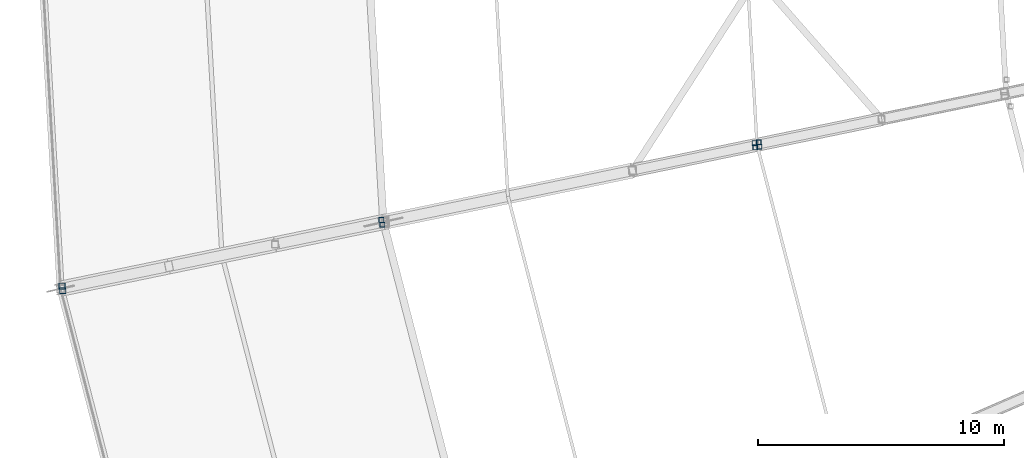
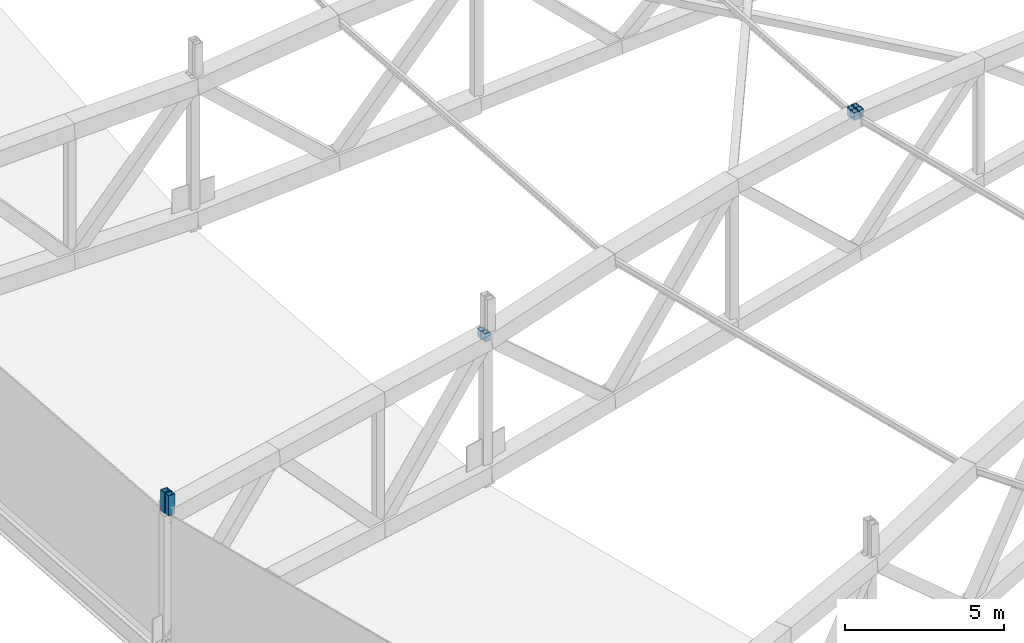
# One storey, part 104 of 162: 8 members.
"""IFC4 building model written with IfcOpenShell, lengths in metres."""

from ifc_helpers import new_model, si_unit, direction, frame, origin, origin_2d, place, context, subcontext, project, spatial, hollow_rectangle, extrude, material, material_profile, profile_set, type_object, element, save


model = new_model("IFC4")

# Units and contexts
model_context = context("Model", 3, precision=1e-05, world=origin(), true_north=direction((0.0, 1.0)))
body_context = subcontext(model_context, "Body", "Model", "MODEL_VIEW")
ifc_project = project(units=[si_unit("LENGTHUNIT", "METRE"), si_unit("AREAUNIT", "SQUARE_METRE"), si_unit("VOLUMEUNIT", "CUBIC_METRE"), si_unit("PLANEANGLEUNIT", "RADIAN"), si_unit("MASSUNIT", "GRAM", prefix="KILO")], contexts=[model_context])

# Site, building, storey
site_placement = place(None, origin())
site = spatial("IfcSite", under=ifc_project, at=site_placement, CompositionType="ELEMENT")
building_placement = place(site_placement, origin())
building = spatial("IfcBuilding", under=site, at=building_placement, Name="Kazemori Nagisa Stadium", CompositionType="ELEMENT")
storey_placement = place(building_placement, frame((0.0, 0.0, 36.719970703125)))
storey = spatial("IfcBuildingStorey", under=building, at=storey_placement, Name="RF", CompositionType="ELEMENT", Elevation=36.719970703125)

# Members
ifc_material = material(Name="Steel STKR490", Category="steel")
ifc_material_profile_1 = material_profile(ifc_material, hollow_rectangle(XDim=0.25, YDim=0.25, WallThickness=0.011962890625, at=origin_2d()), Name="SHS-250x250x12")
ifc_profile_set_1 = profile_set([ifc_material_profile_1], Name="Steel STKR490")
member_type_1 = type_object("IfcMemberType", Name="Member_ST-SHS250", PredefinedType="STUD", material=ifc_profile_set_1)
for number, where, z_axis, x_axis, name in (
    (1, (29.1796875, 82.7060546875, 5.10009765625), (0.0, 0.0, 1.0), (1.0, 0.0, 0.0), "Canopy bearing stool B15-outer-2"),
    (2, (29.210205078125, 82.524169921875, 5.10009765625), (0.0, 0.0, 1.0), (1.0, 0.0, 0.0), "Canopy bearing stool B16-outer-1"),
):
    element("IfcMember", number, at=place(storey_placement, frame(where, z_axis=z_axis, x_axis=x_axis)), inside=storey, type_object=member_type_1, Name=name, PredefinedType="STUD", context=body_context, shape_type="SweptSolid", body=[
        extrude(hollow_rectangle(XDim=0.25, YDim=0.25, WallThickness=0.011962890625, at=origin_2d()), origin(), (0.0, 0.0, 1.0), 0.77490234375),
    ])
ifc_material_profile_2 = material_profile(ifc_material, hollow_rectangle(XDim=0.199951171875, YDim=0.199951171875, WallThickness=0.009033203125, at=origin_2d()), Name="SHS-200x200x9")
ifc_profile_set_2 = profile_set([ifc_material_profile_2], Name="Steel STKR490")
member_type_2 = type_object("IfcMemberType", Name="Member_TS-SHS200", PredefinedType="STRUT", material=ifc_profile_set_2)
member_placement = place(storey_placement, frame((42.180908203125, 85.406005859375, 5.56005859375), z_axis=(0.0, 0.0, 1.0), x_axis=(1.0, 0.0, 0.0)))
element("IfcMember", 3, at=member_placement, inside=storey, type_object=member_type_2, Name="Canopy bearing stool B15-outer-3", PredefinedType="STRUT", context=body_context, shape_type="SweptSolid", body=[
    extrude(hollow_rectangle(XDim=0.199951171875, YDim=0.199951171875, WallThickness=0.009033203125, at=origin_2d()), origin(), (0.0, 0.0, 1.0), 0.31494140625),
])
for number, where, z_axis, x_axis, name in (
    (4, (57.375, 88.531982421875, 6.81201171875), (0.0, 0.0, 1.0), (1.0, 0.0, 0.0), "Canopy bearing stool B15-mid-3"),
    (5, (57.536376953125, 88.561279296875, 6.81201171875), (0.0, 0.0, 1.0), (1.0, 0.0, 0.0), "Canopy bearing stool B15-inner-2"),
):
    element("IfcMember", number, at=place(storey_placement, frame(where, z_axis=z_axis, x_axis=x_axis)), inside=storey, type_object=member_type_2, Name=name, PredefinedType="STRUT", context=body_context, shape_type="SweptSolid", body=[
        extrude(hollow_rectangle(XDim=0.199951171875, YDim=0.199951171875, WallThickness=0.009033203125, at=origin_2d()), origin(), (0.0, 0.0, 1.0), 0.3330078125),
    ])
for number, where, z_axis, x_axis, name in (
    (6, (42.217041015625, 85.20703125, 5.56005859375), (0.0, 0.0, 1.0), (1.0, 0.0, 0.0), "Canopy bearing stool B16-outer-4"),
    (7, (57.407958984375, 88.3583984375, 6.81201171875), (0.0, 0.0, 1.0), (1.0, 0.0, 0.0), "Canopy bearing stool B16-mid-4"),
    (8, (57.56591796875, 88.38671875, 6.81201171875), (0.0, 0.0, 1.0), (1.0, 0.0, 0.0), "Canopy bearing stool B16-inner-1"),
):
    element("IfcMember", number, at=place(storey_placement, frame(where, z_axis=z_axis, x_axis=x_axis)), inside=storey, type_object=member_type_2, Name=name, PredefinedType="STRUT", context=body_context, shape_type="SweptSolid", body=[
        extrude(hollow_rectangle(XDim=0.199951171875, YDim=0.199951171875, WallThickness=0.009033203125, at=origin_2d()), origin(), (0.0, 0.0, 1.0), 0.31494140625),
    ])

save(model, "model.ifc")
